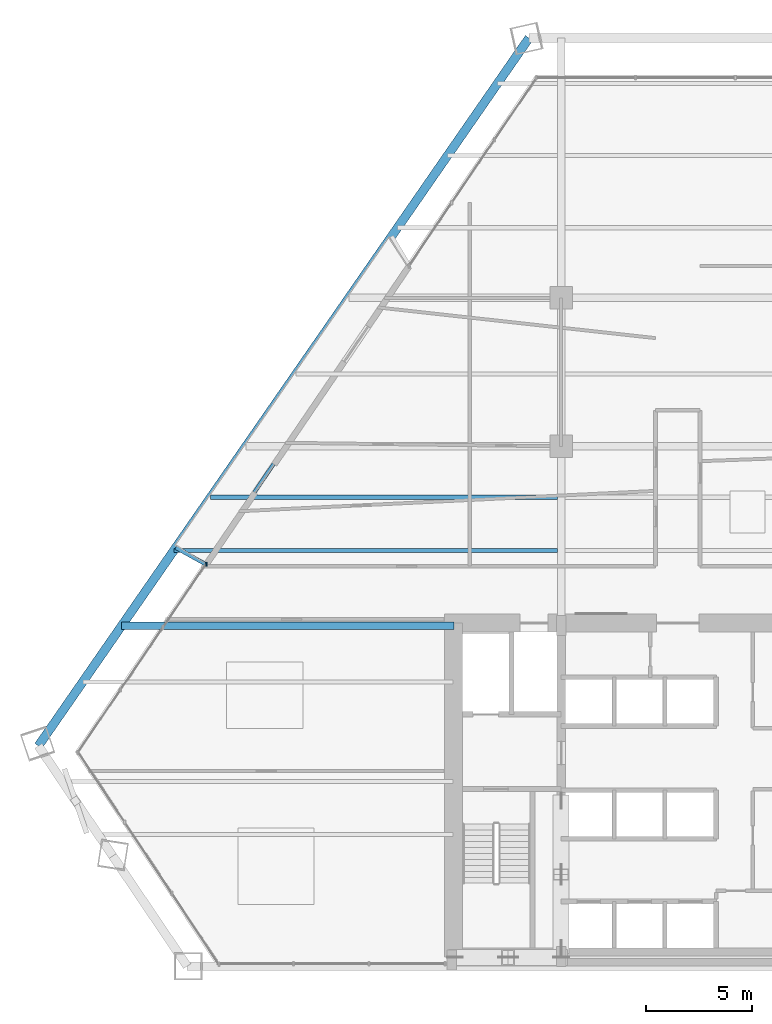
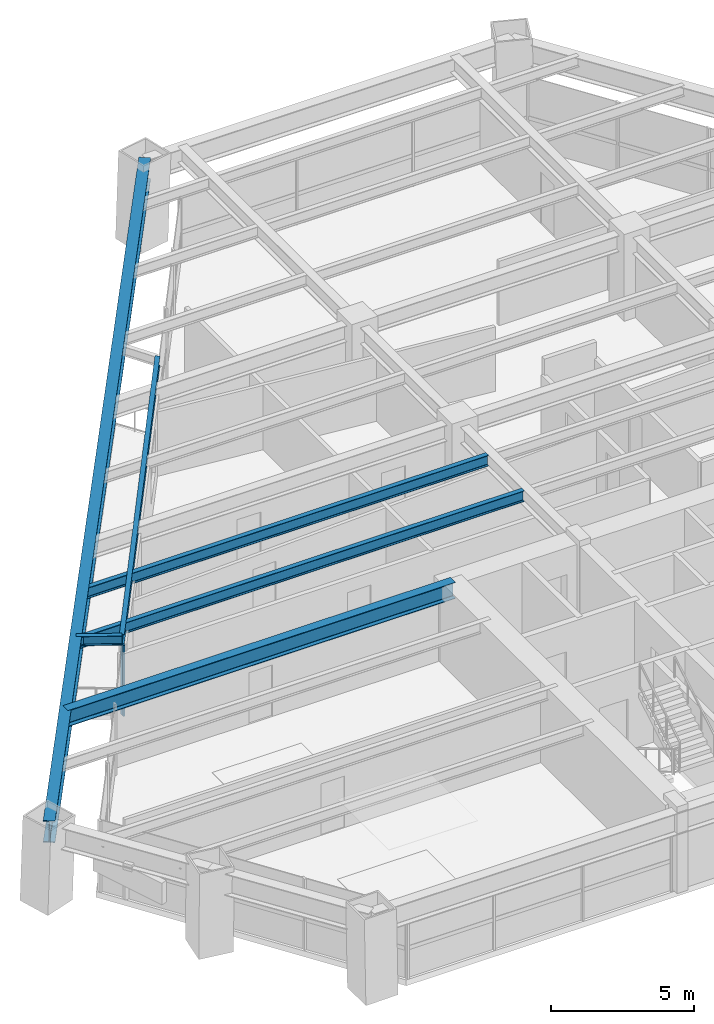
# One storey, part 4 of 14: 6 beams, 1 member, 1 element without a shape of its own.
"""IFC4 building model written with IfcOpenShell, lengths in metres."""

from ifc_helpers import new_model, si_unit, direction, frame, origin, origin_2d, place, context, subcontext, project, spatial, rectangle, i_section, extrude, source, transform, mapped, material, material_profile, profile_set, type_object, type_shapes, element, aggregate, save


model = new_model("IFC4")

# Units and contexts
model_context = context("Model", 3, precision=1e-05, world=origin(), true_north=direction((0.0, 1.0)))
body_context = subcontext(model_context, "Body", "Model", "MODEL_VIEW")
ifc_project = project(units=[si_unit("LENGTHUNIT", "METRE"), si_unit("AREAUNIT", "SQUARE_METRE"), si_unit("VOLUMEUNIT", "CUBIC_METRE"), si_unit("PLANEANGLEUNIT", "RADIAN"), si_unit("MASSUNIT", "GRAM", prefix="KILO")], contexts=[model_context])

# Site, building, storey
site_placement = place(None, origin())
site = spatial("IfcSite", under=ifc_project, at=site_placement, CompositionType="ELEMENT")
building_placement = place(site_placement, origin())
building = spatial("IfcBuilding", under=site, at=building_placement, Name="Varnakhor Terracotta Tower", CompositionType="ELEMENT")
storey_placement = place(building_placement, frame((0.0, 0.0, 60.800048828125)))
storey = spatial("IfcBuildingStorey", under=building, at=storey_placement, Name="L14", CompositionType="ELEMENT", Elevation=60.800048828125)

# Beams
ifc_material_1 = material(Name="Steel S355", Category="steel")
ifc_material_profile_1 = material_profile(ifc_material_1, i_section(OverallWidth=0.41796875, OverallDepth=0.927001953125, WebThickness=0.01904296875, FlangeThickness=0.031982421875, FilletRadius=0.01806640625, at=origin_2d()), Name="W36X231")
ifc_profile_set_1 = profile_set([ifc_material_profile_1], Name="Steel S355")
beam_type_1 = type_object("IfcBeamType", Name="BM-W36X231", PredefinedType="BEAM", material=ifc_profile_set_1)
shared_shape_1 = source(origin(), body_context, "Body", "SweptSolid", [
    extrude(i_section(OverallWidth=0.41796875, OverallDepth=0.927001953125, WebThickness=0.01904296875, FlangeThickness=0.031982421875, FilletRadius=0.01806640625, at=origin_2d()), origin(), (0.0, 0.0, 1.0), 40.590576171875),
])
beam_1_placement = place(storey_placement, frame((-7.013427734375, 43.743896484375, 2.986572265625), z_axis=(-0.569641829151, -0.821893050513, 0.0), x_axis=(0.821893050513, -0.569641829151, 0.0)))
element("IfcBeam", 1, at=beam_1_placement, inside=storey, type_object=beam_type_1, Name="L14 Perimeter Spandrel 6", PredefinedType="BEAM", context=body_context, shape_type="MappedRepresentation", body=[
    mapped(shared_shape_1, transform((0.0, 0.0, 0.0), scale=1.0)),
])
ifc_material_profile_2 = material_profile(ifc_material_1, i_section(OverallWidth=0.179931640625, OverallDepth=0.39990234375, WebThickness=0.008544921875, FlangeThickness=0.013427734375, FilletRadius=0.01806640625, at=origin_2d()), Name="IPE400")
ifc_profile_set_2 = profile_set([ifc_material_profile_2], Name="Steel S355")
beam_type_2 = type_object("IfcBeamType", Name="JST-IPE400", PredefinedType="JOIST", material=ifc_profile_set_2)
shared_shape_2 = source(origin(), body_context, "Body", "SweptSolid", [
    extrude(i_section(OverallWidth=0.179931640625, OverallDepth=0.39990234375, WebThickness=0.008544921875, FlangeThickness=0.013427734375, FilletRadius=0.01806640625, at=origin_2d()), origin(), (0.0, 0.0, 1.0), 17.04833984375),
])
beam_2_placement = place(storey_placement, frame((-12.674560546875, 33.04736328125, 3.25), z_axis=(-0.562054605472, -0.827100127233, 0.0), x_axis=(0.827100127233, -0.562054605472, 0.0)))
element("IfcBeam", 2, at=beam_2_placement, inside=storey, type_object=beam_type_2, Name="L14 Loggia Edge Beam 2", PredefinedType="JOIST", context=body_context, shape_type="MappedRepresentation", body=[
    mapped(shared_shape_2, transform((0.0, 0.0, 0.0), scale=1.0)),
])
ifc_material_profile_3 = material_profile(ifc_material_1, i_section(OverallWidth=0.35498046875, OverallDepth=0.695068359375, WebThickness=0.014892578125, FlangeThickness=0.02490234375, FilletRadius=0.01806640625, at=origin_2d()), Name="W27X146")
ifc_profile_set_3 = profile_set([ifc_material_profile_3], Name="Steel S355")
beam_type_3 = type_object("IfcBeamType", Name="BM-W27X146", PredefinedType="BEAM", material=ifc_profile_set_3)
shared_shape_3 = source(origin(), body_context, "Body", "SweptSolid", [
    extrude(i_section(OverallWidth=0.35498046875, OverallDepth=0.695068359375, WebThickness=0.014892578125, FlangeThickness=0.02490234375, FilletRadius=0.01806640625, at=origin_2d()), origin(), (0.0, 0.0, 1.0), 15.65771484375),
])
beam_3_placement = place(storey_placement, frame((-26.207763671875, 16.050048828125, 3.1025390625), z_axis=(1.0, 0.0, 0.0), x_axis=(0.0, 1.0, 0.0)))
element("IfcBeam", 3, at=beam_3_placement, inside=storey, type_object=beam_type_3, Name="L14 Wing Girder W", PredefinedType="BEAM", context=body_context, shape_type="MappedRepresentation", body=[
    mapped(shared_shape_3, transform((0.0, 0.0, 0.0), scale=1.0)),
])
ifc_material_profile_4 = material_profile(ifc_material_1, i_section(OverallWidth=0.19189453125, OverallDepth=0.462890625, WebThickness=0.010498046875, FlangeThickness=0.017578125, FilletRadius=0.01806640625, at=origin_2d()), Name="W18X60")
ifc_profile_set_4 = profile_set([ifc_material_profile_4], Name="Steel S355")
beam_type_4 = type_object("IfcBeamType", Name="JST-W18X60", PredefinedType="JOIST", material=ifc_profile_set_4)
shared_shape_4 = source(origin(), body_context, "Body", "SweptSolid", [
    extrude(i_section(OverallWidth=0.19189453125, OverallDepth=0.462890625, WebThickness=0.010498046875, FlangeThickness=0.017578125, FilletRadius=0.01806640625, at=origin_2d()), origin(), (0.0, 0.0, 1.0), 18.07373046875),
])
beam_4_placement = place(storey_placement, frame((-23.747314453125, 19.60009765625, 3.218505859375), z_axis=(1.0, 0.0, 0.0), x_axis=(0.0, 1.0, 0.0)))
element("IfcBeam", 4, at=beam_4_placement, inside=storey, type_object=beam_type_4, Name="L14 Composite Floor Joist 4-1", PredefinedType="JOIST", context=body_context, shape_type="MappedRepresentation", body=[
    mapped(shared_shape_4, transform((0.0, 0.0, 0.0), scale=1.0)),
])
shared_shape_5 = source(origin(), body_context, "Body", "SweptSolid", [
    extrude(i_section(OverallWidth=0.19189453125, OverallDepth=0.462890625, WebThickness=0.010498046875, FlangeThickness=0.017578125, FilletRadius=0.01806640625, at=origin_2d()), origin(), (0.0, 0.0, 1.0), 16.341064453125),
])
beam_5_placement = place(storey_placement, frame((-22.0146484375, 22.10009765625, 3.218505859375), z_axis=(1.0, 0.0, 0.0), x_axis=(0.0, 1.0, 0.0)))
element("IfcBeam", 5, at=beam_5_placement, inside=storey, type_object=beam_type_4, Name="L14 Composite Floor Joist 5-1", PredefinedType="JOIST", context=body_context, shape_type="MappedRepresentation", body=[
    mapped(shared_shape_5, transform((0.0, 0.0, 0.0), scale=1.0)),
])

# Curtain wall, member
ifc_material_2 = material(Name="Anodised Aluminium Curtain Wall System", Category="aluminium")
curtain_wall_type = type_object("IfcCurtainWallType", Name="CW-SYS-LOW-OFFICE", PredefinedType="NOTDEFINED", material=ifc_material_2)
curtain_wall_placement = place(storey_placement, origin())
curtain_wall = element("IfcCurtainWall", 6, at=curtain_wall_placement, inside=storey, type_object=curtain_wall_type, Name="L14 W Facet Curtain Wall 1", PredefinedType="NOTDEFINED")
ifc_material_3 = material(Name="Anodised Aluminium 6063-T6", Category="aluminium")
ifc_material_profile_5 = material_profile(ifc_material_3, rectangle(XDim=0.074951171875, YDim=0.18505859375, at=origin_2d()), Name="ALU MULLION 75x185")
ifc_profile_set_5 = profile_set([ifc_material_profile_5], Name="Anodised Aluminium 6063-T6")
member_type = type_object("IfcMemberType", Name="CWM-02", PredefinedType="MULLION", material=ifc_profile_set_5)
shared_shape_6 = source(origin(), body_context, "Body", "SweptSolid", [
    extrude(rectangle(XDim=0.074951171875, YDim=0.18505859375, at=origin_2d()), origin(), (0.0, 0.0, 1.0), 3.030029296875),
])
type_shapes(member_type, [shared_shape_6])
member_placement = place(storey_placement, frame((-22.212890625, 18.949951171875, 0.0), z_axis=(0.0, 0.0, 1.0), x_axis=(1.0, 0.0, 0.0)))
member = element("IfcMember", 7, at=member_placement, type_object=member_type, Name="L14 W Loggia Jamb Closure Mullion 1", PredefinedType="MULLION", context=body_context, shape_type="MappedRepresentation", body=[
    mapped(shared_shape_6, transform((0.0, 0.0, 0.0), scale=1.0)),
])
aggregate(curtain_wall, [member])

# Beam
shared_shape_7 = source(origin(), body_context, "Body", "SweptSolid", [
    extrude(i_section(OverallWidth=0.179931640625, OverallDepth=0.39990234375, WebThickness=0.008544921875, FlangeThickness=0.013427734375, FilletRadius=0.01806640625, at=origin_2d()), origin(), (0.0, 0.0, 1.0), 1.60546875),
])
beam_6_placement = place(storey_placement, frame((-22.256591796875, 18.94677734375, 3.25), z_axis=(-0.874973737287, 0.48417038226, 0.0), x_axis=(-0.48417038226, -0.874973737287, 0.0)))
element("IfcBeam", 8, at=beam_6_placement, inside=storey, type_object=beam_type_2, Name="L15 W Loggia Tie Beam 1", PredefinedType="JOIST", context=body_context, shape_type="MappedRepresentation", body=[
    mapped(shared_shape_7, transform((0.0, 0.0, 0.0), scale=1.0)),
])

save(model, "model.ifc")
